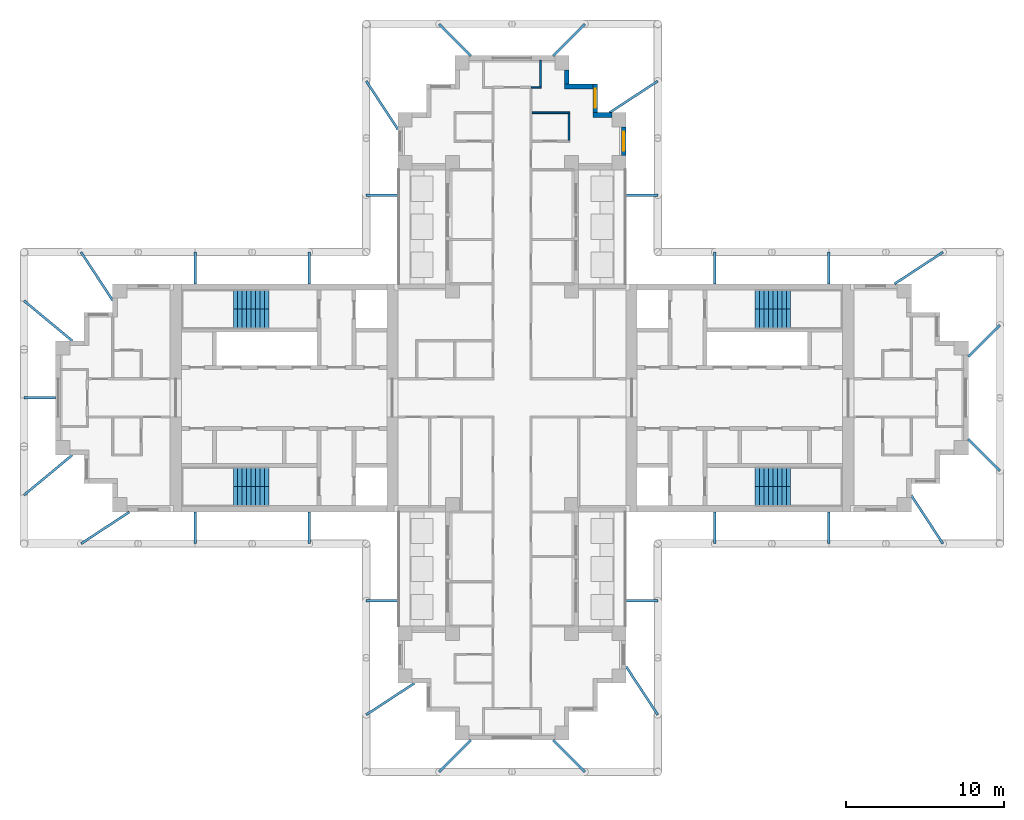
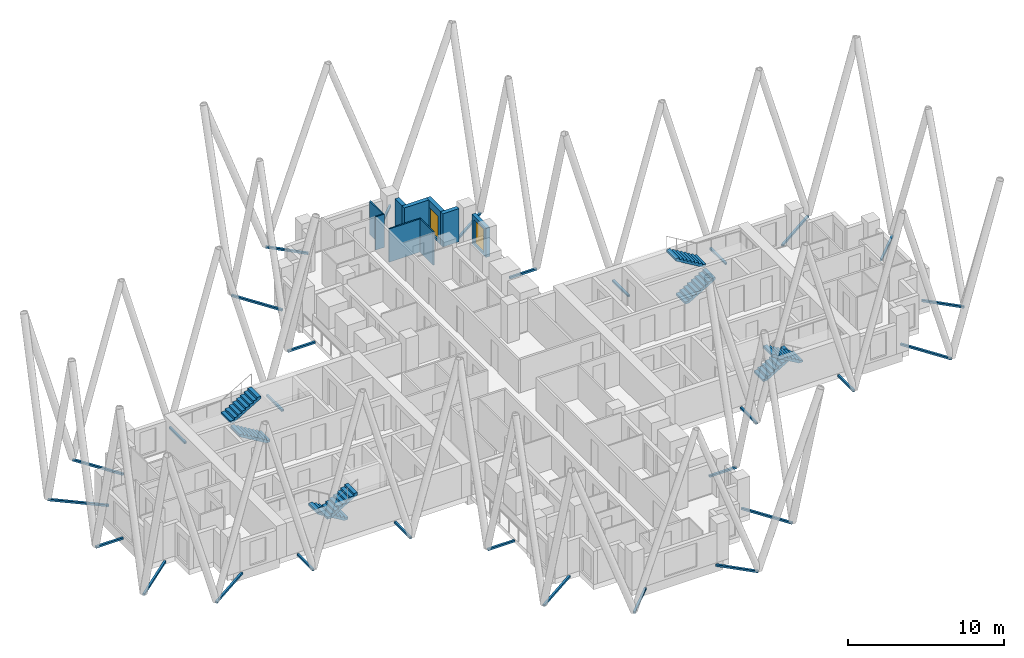
# One storey, part 9 of 11: 29 discrete accessories, 9 walls, 8 stair flights, 2 windows, 2 openings, 4 elements without a shape of their own.
"""IFC4 building model written with IfcOpenShell, lengths in metres."""

from ifc_helpers import new_model, si_unit, direction, frame, frame_2d, origin, origin_2d, place, context, subcontext, project, spatial, polyline, rectangle, hollow_rectangle, outline, extrude, material, layer, layer_set, type_object, element, fill, aggregate, save


model = new_model("IFC4")

# Units and contexts
model_context = context("Model", 3, precision=1e-05, world=origin(), true_north=direction((0.0, 1.0)))
body_context = subcontext(model_context, "Body", "Model", "MODEL_VIEW")
ifc_project = project(units=[si_unit("LENGTHUNIT", "METRE"), si_unit("AREAUNIT", "SQUARE_METRE"), si_unit("VOLUMEUNIT", "CUBIC_METRE"), si_unit("PLANEANGLEUNIT", "RADIAN"), si_unit("MASSUNIT", "GRAM", prefix="KILO")], contexts=[model_context])

# Site, building, storey
site_placement = place(None, origin())
site = spatial("IfcSite", under=ifc_project, at=site_placement, CompositionType="ELEMENT")
building_placement = place(site_placement, origin())
building = spatial("IfcBuilding", under=site, at=building_placement, Name="Fustian Cross Tower", CompositionType="ELEMENT")
storey_placement = place(building_placement, frame((0.0, 0.0, 234.89990234375)))
storey = spatial("IfcBuildingStorey", under=building, at=storey_placement, Name="L74", CompositionType="ELEMENT", Elevation=234.89990234375)

# Walls
ifc_material_1 = material(Name="Plasterboard on steel stud", Category="steel")
ifc_layer_1 = layer(ifc_material_1, 0.10009765625)
ifc_layer_set_1 = layer_set([ifc_layer_1], Name="Plasterboard on steel stud")
wall_type_1 = type_object("IfcWallType", Name="PARTITION 100 STUD", PredefinedType="PARTITIONING", material=ifc_layer_set_1)
wall_1_placement = place(storey_placement, frame((1.27490234375, 18.0, 0.0), z_axis=(0.0, 0.0, 1.0), x_axis=(1.0, 0.0, 0.0)))
element("IfcWall", 1, at=wall_1_placement, inside=storey, type_object=wall_type_1, Name="Partition 54", PredefinedType="PARTITIONING", context=body_context, shape_type="SweptSolid", body=[
    extrude(rectangle(XDim=2.375, YDim=0.10009765625, at=frame_2d((1.1875, 0.0))), origin(), (0.0, 0.0, 1.0), 2.60009765625),
])
wall_2_placement = place(storey_placement, frame((1.199951171875, 19.60009765625, 0.0), z_axis=(0.0, 0.0, 1.0), x_axis=(1.0, 0.0, 0.0)))
element("IfcWall", 2, at=wall_2_placement, inside=storey, type_object=wall_type_1, Name="Partition 55", PredefinedType="PARTITIONING", context=body_context, shape_type="SweptSolid", body=[
    extrude(rectangle(XDim=0.650146484375, YDim=0.10009765625, at=frame_2d((0.3251953125, 0.0))), origin(), (0.0, 0.0, 1.0), 2.60009765625),
])
wall_3_placement = place(storey_placement, frame((1.800048828125, 19.64990234375, 0.0), z_axis=(0.0, 0.0, 1.0), x_axis=(0.0, 1.0, 0.0)))
element("IfcWall", 3, at=wall_3_placement, inside=storey, type_object=wall_type_1, Name="Partition 57", PredefinedType="PARTITIONING", context=body_context, shape_type="SweptSolid", body=[
    extrude(rectangle(XDim=1.650146484375, YDim=0.10009765625, at=frame_2d((0.8251953125, 0.0))), origin(), (0.0, 0.0, 1.0), 2.60009765625),
])
wall_4_placement = place(storey_placement, frame((3.60009765625, 16.25, 0.0), z_axis=(0.0, 0.0, 1.0), x_axis=(0.0, 1.0, 0.0)))
element("IfcWall", 4, at=wall_4_placement, inside=storey, type_object=wall_type_1, Name="Partition 58", PredefinedType="PARTITIONING", context=body_context, shape_type="SweptSolid", body=[
    extrude(rectangle(XDim=1.699951171875, YDim=0.10009765625, at=frame_2d((0.85009765625, 0.0))), origin(), (0.0, 0.0, 1.0), 2.60009765625),
])

# Wall, opening, window
ifc_material_2 = material(Name="Dark aluminium cladding on insulated backing wall", Category="aluminium")
ifc_layer_2 = layer(ifc_material_2, 0.300048828125)
ifc_layer_set_2 = layer_set([ifc_layer_2], Name="Dark aluminium cladding on insulated backing wall")
wall_type_2 = type_object("IfcWallType", Name="XW1 EXTERNAL WALL 300", PredefinedType="SOLIDWALL", material=ifc_layer_set_2)
wall_5_placement = place(storey_placement, frame((7.050048828125, 15.300048828125, 0.0), z_axis=(0.0, 0.0, 1.0), x_axis=(0.0, 1.0, 0.0)))
wall_5 = element("IfcWall", 5, at=wall_5_placement, inside=storey, type_object=wall_type_2, Name="External wall", PredefinedType="SOLIDWALL", context=body_context, shape_type="SweptSolid", body=[
    extrude(rectangle(XDim=1.800048828125, YDim=0.300048828125, at=frame_2d((0.89990234375, 0.0))), origin(), (0.0, 0.0, 1.0), 2.300048828125),
])
opening_1_placement = place(wall_5_placement, frame((0.300048828125, 0.0, 0.199951171875)))
opening_1 = element("IfcOpeningElement", 6, at=opening_1_placement, cuts=wall_5, Name="Opening WN3", PredefinedType="OPENING", context=body_context, shape_type="SweptSolid", body=[
    extrude(rectangle(XDim=1.199951171875, YDim=1.85009765625, at=frame_2d((0.60009765625, 0.925048828125))), frame((0.0, 0.159912109375, 0.0), z_axis=(0.0, -1.0, 0.0), x_axis=(1.0, 0.0, 0.0)), (0.0, 0.0, 1.0), 0.320068359375),
])
ifc_material_3 = material(Name="Dark anodised aluminium and double glazing", Category="aluminium")
window_type = type_object("IfcWindowType", Name="WN3 WINDOW 1200X1850", PartitioningType="SINGLE_PANEL", PredefinedType="WINDOW", material=ifc_material_3)
window_1_placement = place(opening_1_placement, origin())
window_1 = element("IfcWindow", 7, at=window_1_placement, inside=storey, type_object=window_type, Name="Window", OverallHeight=1.85009765625, OverallWidth=1.199951171875, PartitioningType="SINGLE_PANEL", PredefinedType="WINDOW", context=body_context, shape_type="SweptSolid", body=[
    extrude(rectangle(XDim=1.199951171875, YDim=1.85009765625, at=frame_2d((0.60009765625, 0.925048828125))), frame((0.0, 0.030029296875, 0.0), z_axis=(0.0, -1.0, 0.0), x_axis=(1.0, 0.0, 0.0)), (0.0, 0.0, 1.0), 0.06005859375),
])
fill(opening_1, window_1)

# Wall
wall_6_placement = place(storey_placement, frame((6.300048828125, 17.85009765625, 0.0), z_axis=(0.0, 0.0, 1.0), x_axis=(-1.0, 0.0, 0.0)))
element("IfcWall", 8, at=wall_6_placement, inside=storey, type_object=wall_type_2, Name="External wall", PredefinedType="SOLIDWALL", context=body_context, shape_type="SweptSolid", body=[
    extrude(rectangle(XDim=1.199951171875, YDim=0.300048828125, at=frame_2d((0.60009765625, 0.0))), origin(), (0.0, 0.0, 1.0), 2.60009765625),
])

# Wall, opening, window
wall_7_placement = place(storey_placement, frame((5.25, 18.0, 0.0), z_axis=(0.0, 0.0, 1.0), x_axis=(0.0, 1.0, 0.0)))
wall_7 = element("IfcWall", 9, at=wall_7_placement, inside=storey, type_object=wall_type_2, Name="External wall", PredefinedType="SOLIDWALL", context=body_context, shape_type="SweptSolid", body=[
    extrude(rectangle(XDim=1.800048828125, YDim=0.300048828125, at=frame_2d((0.89990234375, 0.0))), origin(), (0.0, 0.0, 1.0), 2.60009765625),
])
opening_2_placement = place(wall_7_placement, frame((0.300048828125, 0.0, 0.199951171875)))
opening_2 = element("IfcOpeningElement", 10, at=opening_2_placement, cuts=wall_7, Name="Opening WN3", PredefinedType="OPENING", context=body_context, shape_type="SweptSolid", body=[
    extrude(rectangle(XDim=1.199951171875, YDim=1.85009765625, at=frame_2d((0.60009765625, 0.925048828125))), frame((0.0, 0.159912109375, 0.0), z_axis=(0.0, -1.0, 0.0), x_axis=(1.0, 0.0, 0.0)), (0.0, 0.0, 1.0), 0.320068359375),
])
window_2_placement = place(opening_2_placement, origin())
window_2 = element("IfcWindow", 11, at=window_2_placement, inside=storey, type_object=window_type, Name="Window", OverallHeight=1.85009765625, OverallWidth=1.199951171875, PartitioningType="SINGLE_PANEL", PredefinedType="WINDOW", context=body_context, shape_type="SweptSolid", body=[
    extrude(rectangle(XDim=1.199951171875, YDim=1.85009765625, at=frame_2d((0.60009765625, 0.925048828125))), frame((0.0, 0.030029296875, 0.0), z_axis=(0.0, -1.0, 0.0), x_axis=(1.0, 0.0, 0.0)), (0.0, 0.0, 1.0), 0.06005859375),
])
fill(opening_2, window_2)

# Walls
wall_8_placement = place(storey_placement, frame((5.10009765625, 19.64990234375, 0.0), z_axis=(0.0, 0.0, 1.0), x_axis=(-1.0, 0.0, 0.0)))
element("IfcWall", 12, at=wall_8_placement, inside=storey, type_object=wall_type_2, Name="External wall", PredefinedType="SOLIDWALL", context=body_context, shape_type="SweptSolid", body=[
    extrude(rectangle(XDim=1.800048828125, YDim=0.300048828125, at=frame_2d((0.89990234375, 0.0))), origin(), (0.0, 0.0, 1.0), 2.60009765625),
])
wall_9_placement = place(storey_placement, frame((3.449951171875, 19.800048828125, 0.0), z_axis=(0.0, 0.0, 1.0), x_axis=(0.0, 1.0, 0.0)))
element("IfcWall", 13, at=wall_9_placement, inside=storey, type_object=wall_type_2, Name="External wall", PredefinedType="SOLIDWALL", context=body_context, shape_type="SweptSolid", body=[
    extrude(rectangle(XDim=0.89990234375, YDim=0.300048828125, at=frame_2d((0.449951171875, 0.0))), origin(), (0.0, 0.0, 1.0), 2.60009765625),
])

# Stair, stair flights
ifc_material_4 = material(Name="Concrete C50/60", Category="concrete")
stair_type = type_object("IfcStairType", Name="STAIR 1200 HALF TURN", PredefinedType="HALF_TURN_STAIR", material=ifc_material_4)
stair_1_placement = place(storey_placement, origin())
stair_1 = element("IfcStair", 14, at=stair_1_placement, inside=storey, type_object=stair_type, Name="Stair ST1", PredefinedType="HALF_TURN_STAIR")
ifc_material_5 = material(Name="Concrete C50/60", Category="concrete")
stair_flight_type = type_object("IfcStairFlightType", Name="STAIR FLIGHT 1200", PredefinedType="STRAIGHT", material=ifc_material_5)
stair_flight_1_placement = place(storey_placement, frame((15.35009765625, 5.0, 0.0), z_axis=(0.0, 0.0, 1.0), x_axis=(1.0, 0.0, 0.0)))
stair_flight_1 = element("IfcStairFlight", 15, at=stair_flight_1_placement, type_object=stair_flight_type, Name="ST1 flight 1", NumberOfRisers=9, NumberOfTreads=8, PredefinedType="STRAIGHT", RiserHeight=0.166666667, TreadLength=0.28, context=body_context, shape_type="SweptSolid", body=[
    extrude(outline(polyline([(0.0, 0.0), (0.0, 0.166748046875), (0.280029296875, 0.166748046875), (0.280029296875, 0.333251953125), (0.56005859375, 0.333251953125), (0.56005859375, 0.5), (0.840087890625, 0.5), (0.840087890625, 0.666748046875), (1.1201171875, 0.666748046875), (1.1201171875, 0.833251953125), (1.39990234375, 0.833251953125), (1.39990234375, 1.0), (1.679931640625, 1.0), (1.679931640625, 1.166748046875), (1.9599609375, 1.166748046875), (1.9599609375, 1.333251953125), (2.239990234375, 1.333251953125), (2.239990234375, 1.5), (2.239990234375, 1.158935546875), (0.29296875, 0.0), (0.0, 0.0)])), frame((0.0, 0.60009765625, 0.0), z_axis=(0.0, -1.0, 0.0), x_axis=(1.0, 0.0, 0.0)), (0.0, 0.0, 1.0), 1.199951171875),
])
stair_flight_2_placement = place(storey_placement, frame((17.590087890625, 6.199951171875, 1.5), z_axis=(0.0, 0.0, 1.0), x_axis=(-1.0, 0.0, 0.0)))
stair_flight_2 = element("IfcStairFlight", 16, at=stair_flight_2_placement, type_object=stair_flight_type, Name="ST1 flight 2", NumberOfRisers=9, NumberOfTreads=8, PredefinedType="STRAIGHT", RiserHeight=0.166666667, TreadLength=0.28, context=body_context, shape_type="SweptSolid", body=[
    extrude(outline(polyline([(0.0, 0.0), (0.0, 0.166748046875), (0.280029296875, 0.166748046875), (0.280029296875, 0.333251953125), (0.56005859375, 0.333251953125), (0.56005859375, 0.5), (0.840087890625, 0.5), (0.840087890625, 0.666748046875), (1.1201171875, 0.666748046875), (1.1201171875, 0.833251953125), (1.39990234375, 0.833251953125), (1.39990234375, 1.0), (1.679931640625, 1.0), (1.679931640625, 1.166748046875), (1.9599609375, 1.166748046875), (1.9599609375, 1.333251953125), (2.239990234375, 1.333251953125), (2.239990234375, 1.5), (2.239990234375, 1.158935546875), (0.29296875, 0.0), (0.0, 0.0)])), frame((0.0, 0.60009765625, 0.0), z_axis=(0.0, -1.0, 0.0), x_axis=(1.0, 0.0, 0.0)), (0.0, 0.0, 1.0), 1.199951171875),
])
aggregate(stair_1, [stair_flight_1, stair_flight_2])

stair_2_placement = place(storey_placement, origin())
stair_2 = element("IfcStair", 17, at=stair_2_placement, inside=storey, type_object=stair_type, Name="Stair ST2", PredefinedType="HALF_TURN_STAIR")
stair_flight_3_placement = place(storey_placement, frame((15.35009765625, -5.0, 0.0), z_axis=(0.0, 0.0, 1.0), x_axis=(1.0, 0.0, 0.0)))
stair_flight_3 = element("IfcStairFlight", 18, at=stair_flight_3_placement, type_object=stair_flight_type, Name="ST2 flight 1", NumberOfRisers=9, NumberOfTreads=8, PredefinedType="STRAIGHT", RiserHeight=0.166666667, TreadLength=0.28, context=body_context, shape_type="SweptSolid", body=[
    extrude(outline(polyline([(0.0, 0.0), (0.0, 0.166748046875), (0.280029296875, 0.166748046875), (0.280029296875, 0.333251953125), (0.56005859375, 0.333251953125), (0.56005859375, 0.5), (0.840087890625, 0.5), (0.840087890625, 0.666748046875), (1.1201171875, 0.666748046875), (1.1201171875, 0.833251953125), (1.39990234375, 0.833251953125), (1.39990234375, 1.0), (1.679931640625, 1.0), (1.679931640625, 1.166748046875), (1.9599609375, 1.166748046875), (1.9599609375, 1.333251953125), (2.239990234375, 1.333251953125), (2.239990234375, 1.5), (2.239990234375, 1.158935546875), (0.29296875, 0.0), (0.0, 0.0)])), frame((0.0, 0.60009765625, 0.0), z_axis=(0.0, -1.0, 0.0), x_axis=(1.0, 0.0, 0.0)), (0.0, 0.0, 1.0), 1.199951171875),
])
stair_flight_4_placement = place(storey_placement, frame((17.590087890625, -6.199951171875, 1.5), z_axis=(0.0, 0.0, 1.0), x_axis=(-1.0, 0.0, 0.0)))
stair_flight_4 = element("IfcStairFlight", 19, at=stair_flight_4_placement, type_object=stair_flight_type, Name="ST2 flight 2", NumberOfRisers=9, NumberOfTreads=8, PredefinedType="STRAIGHT", RiserHeight=0.166666667, TreadLength=0.28, context=body_context, shape_type="SweptSolid", body=[
    extrude(outline(polyline([(0.0, 0.0), (0.0, 0.166748046875), (0.280029296875, 0.166748046875), (0.280029296875, 0.333251953125), (0.56005859375, 0.333251953125), (0.56005859375, 0.5), (0.840087890625, 0.5), (0.840087890625, 0.666748046875), (1.1201171875, 0.666748046875), (1.1201171875, 0.833251953125), (1.39990234375, 0.833251953125), (1.39990234375, 1.0), (1.679931640625, 1.0), (1.679931640625, 1.166748046875), (1.9599609375, 1.166748046875), (1.9599609375, 1.333251953125), (2.239990234375, 1.333251953125), (2.239990234375, 1.5), (2.239990234375, 1.158935546875), (0.29296875, 0.0), (0.0, 0.0)])), frame((0.0, 0.60009765625, 0.0), z_axis=(0.0, -1.0, 0.0), x_axis=(1.0, 0.0, 0.0)), (0.0, 0.0, 1.0), 1.199951171875),
])
aggregate(stair_2, [stair_flight_3, stair_flight_4])

stair_3_placement = place(storey_placement, origin())
stair_3 = element("IfcStair", 20, at=stair_3_placement, inside=storey, type_object=stair_type, Name="Stair ST3", PredefinedType="HALF_TURN_STAIR")
stair_flight_5_placement = place(storey_placement, frame((-15.35009765625, 5.0, 0.0), z_axis=(0.0, 0.0, 1.0), x_axis=(-1.0, 0.0, 0.0)))
stair_flight_5 = element("IfcStairFlight", 21, at=stair_flight_5_placement, type_object=stair_flight_type, Name="ST3 flight 1", NumberOfRisers=9, NumberOfTreads=8, PredefinedType="STRAIGHT", RiserHeight=0.166666667, TreadLength=0.28, context=body_context, shape_type="SweptSolid", body=[
    extrude(outline(polyline([(0.0, 0.0), (0.0, 0.166748046875), (0.280029296875, 0.166748046875), (0.280029296875, 0.333251953125), (0.56005859375, 0.333251953125), (0.56005859375, 0.5), (0.840087890625, 0.5), (0.840087890625, 0.666748046875), (1.1201171875, 0.666748046875), (1.1201171875, 0.833251953125), (1.39990234375, 0.833251953125), (1.39990234375, 1.0), (1.679931640625, 1.0), (1.679931640625, 1.166748046875), (1.9599609375, 1.166748046875), (1.9599609375, 1.333251953125), (2.239990234375, 1.333251953125), (2.239990234375, 1.5), (2.239990234375, 1.158935546875), (0.29296875, 0.0), (0.0, 0.0)])), frame((0.0, 0.60009765625, 0.0), z_axis=(0.0, -1.0, 0.0), x_axis=(1.0, 0.0, 0.0)), (0.0, 0.0, 1.0), 1.199951171875),
])
stair_flight_6_placement = place(storey_placement, frame((-17.590087890625, 6.199951171875, 1.5), z_axis=(0.0, 0.0, 1.0), x_axis=(1.0, 0.0, 0.0)))
stair_flight_6 = element("IfcStairFlight", 22, at=stair_flight_6_placement, type_object=stair_flight_type, Name="ST3 flight 2", NumberOfRisers=9, NumberOfTreads=8, PredefinedType="STRAIGHT", RiserHeight=0.166666667, TreadLength=0.28, context=body_context, shape_type="SweptSolid", body=[
    extrude(outline(polyline([(0.0, 0.0), (0.0, 0.166748046875), (0.280029296875, 0.166748046875), (0.280029296875, 0.333251953125), (0.56005859375, 0.333251953125), (0.56005859375, 0.5), (0.840087890625, 0.5), (0.840087890625, 0.666748046875), (1.1201171875, 0.666748046875), (1.1201171875, 0.833251953125), (1.39990234375, 0.833251953125), (1.39990234375, 1.0), (1.679931640625, 1.0), (1.679931640625, 1.166748046875), (1.9599609375, 1.166748046875), (1.9599609375, 1.333251953125), (2.239990234375, 1.333251953125), (2.239990234375, 1.5), (2.239990234375, 1.158935546875), (0.29296875, 0.0), (0.0, 0.0)])), frame((0.0, 0.60009765625, 0.0), z_axis=(0.0, -1.0, 0.0), x_axis=(1.0, 0.0, 0.0)), (0.0, 0.0, 1.0), 1.199951171875),
])
aggregate(stair_3, [stair_flight_5, stair_flight_6])

stair_4_placement = place(storey_placement, origin())
stair_4 = element("IfcStair", 23, at=stair_4_placement, inside=storey, type_object=stair_type, Name="Stair ST4", PredefinedType="HALF_TURN_STAIR")
stair_flight_7_placement = place(storey_placement, frame((-15.35009765625, -5.0, 0.0), z_axis=(0.0, 0.0, 1.0), x_axis=(-1.0, 0.0, 0.0)))
stair_flight_7 = element("IfcStairFlight", 24, at=stair_flight_7_placement, type_object=stair_flight_type, Name="ST4 flight 1", NumberOfRisers=9, NumberOfTreads=8, PredefinedType="STRAIGHT", RiserHeight=0.166666667, TreadLength=0.28, context=body_context, shape_type="SweptSolid", body=[
    extrude(outline(polyline([(0.0, 0.0), (0.0, 0.166748046875), (0.280029296875, 0.166748046875), (0.280029296875, 0.333251953125), (0.56005859375, 0.333251953125), (0.56005859375, 0.5), (0.840087890625, 0.5), (0.840087890625, 0.666748046875), (1.1201171875, 0.666748046875), (1.1201171875, 0.833251953125), (1.39990234375, 0.833251953125), (1.39990234375, 1.0), (1.679931640625, 1.0), (1.679931640625, 1.166748046875), (1.9599609375, 1.166748046875), (1.9599609375, 1.333251953125), (2.239990234375, 1.333251953125), (2.239990234375, 1.5), (2.239990234375, 1.158935546875), (0.29296875, 0.0), (0.0, 0.0)])), frame((0.0, 0.60009765625, 0.0), z_axis=(0.0, -1.0, 0.0), x_axis=(1.0, 0.0, 0.0)), (0.0, 0.0, 1.0), 1.199951171875),
])
stair_flight_8_placement = place(storey_placement, frame((-17.590087890625, -6.199951171875, 1.5), z_axis=(0.0, 0.0, 1.0), x_axis=(1.0, 0.0, 0.0)))
stair_flight_8 = element("IfcStairFlight", 25, at=stair_flight_8_placement, type_object=stair_flight_type, Name="ST4 flight 2", NumberOfRisers=9, NumberOfTreads=8, PredefinedType="STRAIGHT", RiserHeight=0.166666667, TreadLength=0.28, context=body_context, shape_type="SweptSolid", body=[
    extrude(outline(polyline([(0.0, 0.0), (0.0, 0.166748046875), (0.280029296875, 0.166748046875), (0.280029296875, 0.333251953125), (0.56005859375, 0.333251953125), (0.56005859375, 0.5), (0.840087890625, 0.5), (0.840087890625, 0.666748046875), (1.1201171875, 0.666748046875), (1.1201171875, 0.833251953125), (1.39990234375, 0.833251953125), (1.39990234375, 1.0), (1.679931640625, 1.0), (1.679931640625, 1.166748046875), (1.9599609375, 1.166748046875), (1.9599609375, 1.333251953125), (2.239990234375, 1.333251953125), (2.239990234375, 1.5), (2.239990234375, 1.158935546875), (0.29296875, 0.0), (0.0, 0.0)])), frame((0.0, 0.60009765625, 0.0), z_axis=(0.0, -1.0, 0.0), x_axis=(1.0, 0.0, 0.0)), (0.0, 0.0, 1.0), 1.199951171875),
])
aggregate(stair_4, [stair_flight_7, stair_flight_8])

# Discrete accessories
ifc_material_6 = material(Name="Steel S355", Category="steel")
discrete_accessory_1_placement = place(storey_placement, frame((30.800048828125, 4.60009765625, -0.14990234375), z_axis=(-0.707106781187, -0.707106781187, 0.0), x_axis=(0.707106781187, -0.707106781187, 0.0)))
element("IfcDiscreteAccessory", 26, at=discrete_accessory_1_placement, inside=storey, material=ifc_material_6, Name="Diagrid node bracket L74-01", PredefinedType="BRACKET", context=body_context, shape_type="SweptSolid", body=[
    extrude(hollow_rectangle(XDim=0.14990234375, YDim=0.14990234375, WallThickness=0.010009765625, at=origin_2d()), origin(), (0.0, 0.0, 1.0), 2.828369140625),
])
discrete_accessory_2_placement = place(storey_placement, frame((27.199951171875, 9.199951171875, -0.14990234375), z_axis=(-0.836248392914, -0.548350823241, 0.0), x_axis=(0.548350823241, -0.836248392914, 0.0)))
element("IfcDiscreteAccessory", 27, at=discrete_accessory_2_placement, inside=storey, material=ifc_material_6, Name="Diagrid node bracket L74-02", PredefinedType="BRACKET", context=body_context, shape_type="SweptSolid", body=[
    extrude(hollow_rectangle(XDim=0.14990234375, YDim=0.14990234375, WallThickness=0.010009765625, at=origin_2d()), origin(), (0.0, 0.0, 1.0), 3.647216796875),
])
for number, where, z_axis, x_axis, name in (
    (28, (20.0, 9.199951171875, -0.14990234375), (0.0, -1.0, 0.0), (1.0, 0.0, 0.0), "Diagrid node bracket L74-03"),
    (29, (12.800048828125, 9.199951171875, -0.14990234375), (0.0, -1.0, 0.0), (1.0, 0.0, 0.0), "Diagrid node bracket L74-04"),
    (30, (9.199951171875, 12.800048828125, -0.14990234375), (-1.0, 0.0, 0.0), (0.0, -1.0, 0.0), "Diagrid node bracket L74-05"),
):
    element("IfcDiscreteAccessory", number, at=place(storey_placement, frame(where, z_axis=z_axis, x_axis=x_axis)), inside=storey, material=ifc_material_6, Name=name, PredefinedType="BRACKET", context=body_context, shape_type="SweptSolid", body=[
        extrude(hollow_rectangle(XDim=0.14990234375, YDim=0.14990234375, WallThickness=0.010009765625, at=origin_2d()), origin(), (0.0, 0.0, 1.0), 2.0),
    ])
discrete_accessory_3_placement = place(storey_placement, frame((9.199951171875, 20.0, -0.14990234375), z_axis=(-0.836248392914, -0.548350823241, 0.0), x_axis=(0.548350823241, -0.836248392914, 0.0)))
element("IfcDiscreteAccessory", 31, at=discrete_accessory_3_placement, inside=storey, material=ifc_material_6, Name="Diagrid node bracket L74-06", PredefinedType="BRACKET", context=body_context, shape_type="SweptSolid", body=[
    extrude(hollow_rectangle(XDim=0.14990234375, YDim=0.14990234375, WallThickness=0.010009765625, at=origin_2d()), origin(), (0.0, 0.0, 1.0), 3.647216796875),
])
for number, where, z_axis, x_axis, name in (
    (32, (4.60009765625, 23.60009765625, -0.14990234375), (-0.707106781187, -0.707106781187, 0.0), (0.707106781187, -0.707106781187, 0.0), "Diagrid node bracket L74-07"),
    (33, (-4.60009765625, 23.60009765625, -0.14990234375), (0.707106781187, -0.707106781187, 0.0), (0.707106781187, 0.707106781187, 0.0), "Diagrid node bracket L74-08"),
):
    element("IfcDiscreteAccessory", number, at=place(storey_placement, frame(where, z_axis=z_axis, x_axis=x_axis)), inside=storey, material=ifc_material_6, Name=name, PredefinedType="BRACKET", context=body_context, shape_type="SweptSolid", body=[
        extrude(hollow_rectangle(XDim=0.14990234375, YDim=0.14990234375, WallThickness=0.010009765625, at=origin_2d()), origin(), (0.0, 0.0, 1.0), 2.828369140625),
    ])
discrete_accessory_4_placement = place(storey_placement, frame((-9.199951171875, 20.0, -0.14990234375), z_axis=(0.548350823241, -0.836248392914, 0.0), x_axis=(0.836248392914, 0.548350823241, 0.0)))
element("IfcDiscreteAccessory", 34, at=discrete_accessory_4_placement, inside=storey, material=ifc_material_6, Name="Diagrid node bracket L74-09", PredefinedType="BRACKET", context=body_context, shape_type="SweptSolid", body=[
    extrude(hollow_rectangle(XDim=0.14990234375, YDim=0.14990234375, WallThickness=0.010009765625, at=origin_2d()), origin(), (0.0, 0.0, 1.0), 3.647216796875),
])
for number, where, z_axis, x_axis, name in (
    (35, (-9.199951171875, 12.800048828125, -0.14990234375), (1.0, 0.0, 0.0), (0.0, 1.0, 0.0), "Diagrid node bracket L74-10"),
    (36, (-12.800048828125, 9.199951171875, -0.14990234375), (0.0, -1.0, 0.0), (1.0, 0.0, 0.0), "Diagrid node bracket L74-11"),
    (37, (-20.0, 9.199951171875, -0.14990234375), (0.0, -1.0, 0.0), (1.0, 0.0, 0.0), "Diagrid node bracket L74-12"),
):
    element("IfcDiscreteAccessory", number, at=place(storey_placement, frame(where, z_axis=z_axis, x_axis=x_axis)), inside=storey, material=ifc_material_6, Name=name, PredefinedType="BRACKET", context=body_context, shape_type="SweptSolid", body=[
        extrude(hollow_rectangle(XDim=0.14990234375, YDim=0.14990234375, WallThickness=0.010009765625, at=origin_2d()), origin(), (0.0, 0.0, 1.0), 2.0),
    ])
discrete_accessory_5_placement = place(storey_placement, frame((-27.199951171875, 9.199951171875, -0.14990234375), z_axis=(0.548350823241, -0.836248392914, 0.0), x_axis=(0.836248392914, 0.548350823241, 0.0)))
element("IfcDiscreteAccessory", 38, at=discrete_accessory_5_placement, inside=storey, material=ifc_material_6, Name="Diagrid node bracket L74-13", PredefinedType="BRACKET", context=body_context, shape_type="SweptSolid", body=[
    extrude(hollow_rectangle(XDim=0.14990234375, YDim=0.14990234375, WallThickness=0.010009765625, at=origin_2d()), origin(), (0.0, 0.0, 1.0), 3.647216796875),
])
discrete_accessory_6_placement = place(storey_placement, frame((-30.800048828125, 6.13330078125, -0.14990234375), z_axis=(0.769275112648, -0.638917679408, 0.0), x_axis=(0.638917679408, 0.769275112648, 0.0)))
element("IfcDiscreteAccessory", 39, at=discrete_accessory_6_placement, inside=storey, material=ifc_material_6, Name="Diagrid node bracket L74-14", PredefinedType="BRACKET", context=body_context, shape_type="SweptSolid", body=[
    extrude(hollow_rectangle(XDim=0.14990234375, YDim=0.14990234375, WallThickness=0.010009765625, at=origin_2d()), origin(), (0.0, 0.0, 1.0), 3.96484375),
])
discrete_accessory_7_placement = place(storey_placement, frame((-30.800048828125, 0.0, -0.14990234375), z_axis=(1.0, 0.0, 0.0), x_axis=(0.0, 1.0, 0.0)))
element("IfcDiscreteAccessory", 40, at=discrete_accessory_7_placement, inside=storey, material=ifc_material_6, Name="Diagrid node bracket L74-15", PredefinedType="BRACKET", context=body_context, shape_type="SweptSolid", body=[
    extrude(hollow_rectangle(XDim=0.14990234375, YDim=0.14990234375, WallThickness=0.010009765625, at=origin_2d()), origin(), (0.0, 0.0, 1.0), 2.0),
])
discrete_accessory_8_placement = place(storey_placement, frame((-30.800048828125, -6.13330078125, -0.14990234375), z_axis=(0.769275112648, 0.638917679408, 0.0), x_axis=(-0.638917679408, 0.769275112648, 0.0)))
element("IfcDiscreteAccessory", 41, at=discrete_accessory_8_placement, inside=storey, material=ifc_material_6, Name="Diagrid node bracket L74-16", PredefinedType="BRACKET", context=body_context, shape_type="SweptSolid", body=[
    extrude(hollow_rectangle(XDim=0.14990234375, YDim=0.14990234375, WallThickness=0.010009765625, at=origin_2d()), origin(), (0.0, 0.0, 1.0), 3.96484375),
])
discrete_accessory_9_placement = place(storey_placement, frame((-27.199951171875, -9.199951171875, -0.14990234375), z_axis=(0.836248392914, 0.548350823241, 0.0), x_axis=(-0.548350823241, 0.836248392914, 0.0)))
element("IfcDiscreteAccessory", 42, at=discrete_accessory_9_placement, inside=storey, material=ifc_material_6, Name="Diagrid node bracket L74-17", PredefinedType="BRACKET", context=body_context, shape_type="SweptSolid", body=[
    extrude(hollow_rectangle(XDim=0.14990234375, YDim=0.14990234375, WallThickness=0.010009765625, at=origin_2d()), origin(), (0.0, 0.0, 1.0), 3.647216796875),
])
for number, where, z_axis, x_axis, name in (
    (43, (-20.0, -9.199951171875, -0.14990234375), (0.0, 1.0, 0.0), (-1.0, 0.0, 0.0), "Diagrid node bracket L74-18"),
    (44, (-12.800048828125, -9.199951171875, -0.14990234375), (0.0, 1.0, 0.0), (-1.0, 0.0, 0.0), "Diagrid node bracket L74-19"),
    (45, (-9.199951171875, -12.800048828125, -0.14990234375), (1.0, 0.0, 0.0), (0.0, 1.0, 0.0), "Diagrid node bracket L74-20"),
):
    element("IfcDiscreteAccessory", number, at=place(storey_placement, frame(where, z_axis=z_axis, x_axis=x_axis)), inside=storey, material=ifc_material_6, Name=name, PredefinedType="BRACKET", context=body_context, shape_type="SweptSolid", body=[
        extrude(hollow_rectangle(XDim=0.14990234375, YDim=0.14990234375, WallThickness=0.010009765625, at=origin_2d()), origin(), (0.0, 0.0, 1.0), 2.0),
    ])
discrete_accessory_10_placement = place(storey_placement, frame((-9.199951171875, -20.0, -0.14990234375), z_axis=(0.836248392914, 0.548350823241, 0.0), x_axis=(-0.548350823241, 0.836248392914, 0.0)))
element("IfcDiscreteAccessory", 46, at=discrete_accessory_10_placement, inside=storey, material=ifc_material_6, Name="Diagrid node bracket L74-21", PredefinedType="BRACKET", context=body_context, shape_type="SweptSolid", body=[
    extrude(hollow_rectangle(XDim=0.14990234375, YDim=0.14990234375, WallThickness=0.010009765625, at=origin_2d()), origin(), (0.0, 0.0, 1.0), 3.647216796875),
])
for number, where, z_axis, x_axis, name in (
    (47, (-4.60009765625, -23.60009765625, -0.14990234375), (0.707106781187, 0.707106781187, 0.0), (-0.707106781187, 0.707106781187, 0.0), "Diagrid node bracket L74-22"),
    (48, (4.60009765625, -23.60009765625, -0.14990234375), (-0.707106781187, 0.707106781187, 0.0), (-0.707106781187, -0.707106781187, 0.0), "Diagrid node bracket L74-23"),
):
    element("IfcDiscreteAccessory", number, at=place(storey_placement, frame(where, z_axis=z_axis, x_axis=x_axis)), inside=storey, material=ifc_material_6, Name=name, PredefinedType="BRACKET", context=body_context, shape_type="SweptSolid", body=[
        extrude(hollow_rectangle(XDim=0.14990234375, YDim=0.14990234375, WallThickness=0.010009765625, at=origin_2d()), origin(), (0.0, 0.0, 1.0), 2.828369140625),
    ])
discrete_accessory_11_placement = place(storey_placement, frame((9.199951171875, -20.0, -0.14990234375), z_axis=(-0.548350823241, 0.836248392914, 0.0), x_axis=(-0.836248392914, -0.548350823241, 0.0)))
element("IfcDiscreteAccessory", 49, at=discrete_accessory_11_placement, inside=storey, material=ifc_material_6, Name="Diagrid node bracket L74-24", PredefinedType="BRACKET", context=body_context, shape_type="SweptSolid", body=[
    extrude(hollow_rectangle(XDim=0.14990234375, YDim=0.14990234375, WallThickness=0.010009765625, at=origin_2d()), origin(), (0.0, 0.0, 1.0), 3.647216796875),
])
for number, where, z_axis, x_axis, name in (
    (50, (9.199951171875, -12.800048828125, -0.14990234375), (-1.0, 0.0, 0.0), (0.0, -1.0, 0.0), "Diagrid node bracket L74-25"),
    (51, (12.800048828125, -9.199951171875, -0.14990234375), (0.0, 1.0, 0.0), (-1.0, 0.0, 0.0), "Diagrid node bracket L74-26"),
    (52, (20.0, -9.199951171875, -0.14990234375), (0.0, 1.0, 0.0), (-1.0, 0.0, 0.0), "Diagrid node bracket L74-27"),
):
    element("IfcDiscreteAccessory", number, at=place(storey_placement, frame(where, z_axis=z_axis, x_axis=x_axis)), inside=storey, material=ifc_material_6, Name=name, PredefinedType="BRACKET", context=body_context, shape_type="SweptSolid", body=[
        extrude(hollow_rectangle(XDim=0.14990234375, YDim=0.14990234375, WallThickness=0.010009765625, at=origin_2d()), origin(), (0.0, 0.0, 1.0), 2.0),
    ])
discrete_accessory_12_placement = place(storey_placement, frame((27.199951171875, -9.199951171875, -0.14990234375), z_axis=(-0.548350823241, 0.836248392914, 0.0), x_axis=(-0.836248392914, -0.548350823241, 0.0)))
element("IfcDiscreteAccessory", 53, at=discrete_accessory_12_placement, inside=storey, material=ifc_material_6, Name="Diagrid node bracket L74-28", PredefinedType="BRACKET", context=body_context, shape_type="SweptSolid", body=[
    extrude(hollow_rectangle(XDim=0.14990234375, YDim=0.14990234375, WallThickness=0.010009765625, at=origin_2d()), origin(), (0.0, 0.0, 1.0), 3.647216796875),
])
discrete_accessory_13_placement = place(storey_placement, frame((30.800048828125, -4.60009765625, -0.14990234375), z_axis=(-0.707106781187, 0.707106781187, 0.0), x_axis=(-0.707106781187, -0.707106781187, 0.0)))
element("IfcDiscreteAccessory", 54, at=discrete_accessory_13_placement, inside=storey, material=ifc_material_6, Name="Diagrid node bracket L74-29", PredefinedType="BRACKET", context=body_context, shape_type="SweptSolid", body=[
    extrude(hollow_rectangle(XDim=0.14990234375, YDim=0.14990234375, WallThickness=0.010009765625, at=origin_2d()), origin(), (0.0, 0.0, 1.0), 2.828369140625),
])

save(model, "model.ifc")
